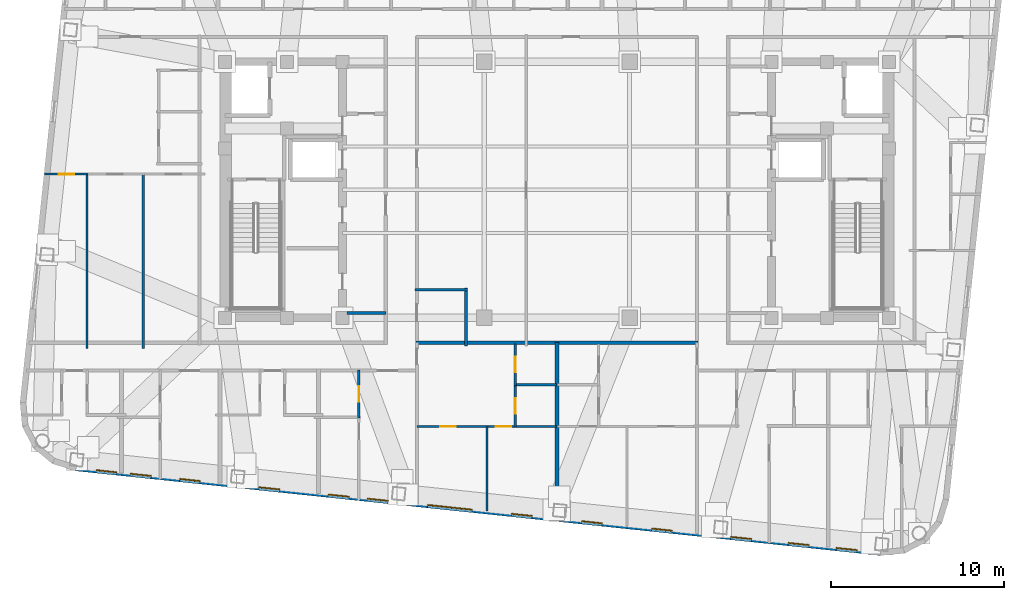
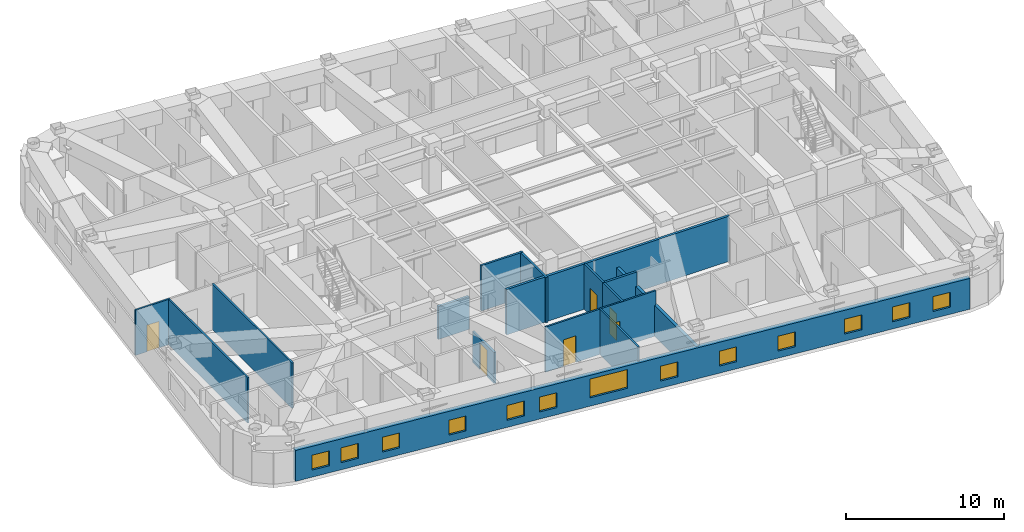
# One storey, part 4 of 12: 15 walls, 13 windows, 6 doors, 19 openings.
"""IFC4 building model written with IfcOpenShell, lengths in metres."""

from ifc_helpers import new_model, si_unit, direction, frame, frame_2d, origin, place, context, subcontext, project, spatial, rectangle, extrude, material, layer, layer_set, type_object, element, fill, save


model = new_model("IFC4")

# Units and contexts
model_context = context("Model", 3, precision=1e-05, world=origin(), true_north=direction((0.0, 1.0)))
body_context = subcontext(model_context, "Body", "Model", "MODEL_VIEW")
ifc_project = project(units=[si_unit("LENGTHUNIT", "METRE"), si_unit("AREAUNIT", "SQUARE_METRE"), si_unit("VOLUMEUNIT", "CUBIC_METRE"), si_unit("PLANEANGLEUNIT", "RADIAN"), si_unit("MASSUNIT", "GRAM", prefix="KILO")], contexts=[model_context])

# Site, building, storey
site_placement = place(None, origin())
site = spatial("IfcSite", under=ifc_project, at=site_placement, CompositionType="ELEMENT")
building_placement = place(site_placement, origin())
building = spatial("IfcBuilding", under=site, at=building_placement, Name="Voryun Gate Residences", CompositionType="ELEMENT")
storey_placement = place(building_placement, frame((0.0, 0.0, 306.800048828125)))
storey = spatial("IfcBuildingStorey", under=building, at=storey_placement, Name="L76", CompositionType="ELEMENT", Elevation=306.800048828125)

# Walls
ifc_material_1 = material(Name="Gypsum acoustic fireboard")
ifc_layer_1 = layer(ifc_material_1, 0.179931640625, Name="W_CORR_RATED_180")
ifc_layer_set_1 = layer_set([ifc_layer_1], Name="Gypsum acoustic fireboard")
wall_type_1 = type_object("IfcWallType", Name="W_CORR_RATED_180", PredefinedType="PARTITIONING", material=ifc_layer_set_1)
wall_1_placement = place(storey_placement, frame((-12.14990234375, -7.1201171875, 0.0), z_axis=(0.0, 0.0, 1.0), x_axis=(1.0, 0.0, 0.0)))
element("IfcWall", 1, at=wall_1_placement, inside=storey, type_object=wall_type_1, Name="Partition wall WP-L76-PLBS-W", PredefinedType="PARTITIONING", context=body_context, shape_type="SweptSolid", body=[
    extrude(rectangle(XDim=2.27001953125, YDim=0.179931640625, at=frame_2d((1.135009765625, 0.0))), origin(), (0.0, 0.0, 1.0), 2.5400390625),
])
wall_2_placement = place(storey_placement, frame((-8.14990234375, -8.840087890625, 0.0), z_axis=(0.0, 0.0, 1.0), x_axis=(1.0, 0.0, 0.0)))
element("IfcWall", 2, at=wall_2_placement, inside=storey, type_object=wall_type_1, Name="Partition wall WP-L76-Z3S", PredefinedType="PARTITIONING", context=body_context, shape_type="SweptSolid", body=[
    extrude(rectangle(XDim=16.2998046875, YDim=0.179931640625, at=frame_2d((8.14990234375, 0.0))), origin(), (0.0, 0.0, 1.0), 3.5),
])

# Wall, openings, windows
ifc_material_2 = material(Name="Charcoal terracotta masonry", Category="masonry")
ifc_layer_2 = layer(ifc_material_2, 0.340087890625, Name="W_EXT_TERRACOTTA_340")
ifc_layer_set_2 = layer_set([ifc_layer_2], Name="Charcoal terracotta masonry")
wall_type_2 = type_object("IfcWallType", Name="W_EXT_TERRACOTTA_340", PredefinedType="ELEMENTEDWALL", material=ifc_layer_set_2)
wall_3_placement = place(storey_placement, frame((18.707763671875, -20.97216796875, 0.0), z_axis=(0.0, 0.0, 1.0), x_axis=(-0.994521888554, 0.104528528102, 0.0)))
wall_3 = element("IfcWall", 3, at=wall_3_placement, inside=storey, type_object=wall_type_2, Name="Exterior wall WEXT-L76-01", PredefinedType="ELEMENTEDWALL", context=body_context, shape_type="SweptSolid", body=[
    extrude(rectangle(XDim=46.766357421875, YDim=0.340087890625, at=frame_2d((23.38330078125, 0.0))), origin(), (0.0, 0.0, 1.0), 2.389892578125),
])
opening_1_placement = place(wall_3_placement, frame((23.733154296875, 0.0, 0.64990234375)))
opening_1 = element("IfcOpeningElement", 4, at=opening_1_placement, cuts=wall_3, Name="Opening WN4", PredefinedType="OPENING", context=body_context, shape_type="SweptSolid", body=[
    extrude(rectangle(XDim=2.60009765625, YDim=1.449951171875, at=frame_2d((1.300048828125, 0.72509765625))), frame((0.0, 0.179931640625, 0.0), z_axis=(0.0, -1.0, 0.0), x_axis=(1.0, 0.0, 0.0)), (0.0, 0.0, 1.0), 0.360107421875),
])
opening_2_placement = place(wall_3_placement, frame((44.40185546875, 0.0, 0.550048828125)))
opening_2 = element("IfcOpeningElement", 5, at=opening_2_placement, cuts=wall_3, Name="Opening WN6", PredefinedType="OPENING", context=body_context, shape_type="SweptSolid", body=[
    extrude(rectangle(XDim=1.199951171875, YDim=1.14990234375, at=frame_2d((0.60009765625, 0.574951171875))), frame((0.0, 0.179931640625, 0.0), z_axis=(0.0, -1.0, 0.0), x_axis=(1.0, 0.0, 0.0)), (0.0, 0.0, 1.0), 0.360107421875),
])
opening_3_placement = place(wall_3_placement, frame((39.5400390625, 0.0, 0.550048828125)))
opening_3 = element("IfcOpeningElement", 6, at=opening_3_placement, cuts=wall_3, Name="Opening WN6", PredefinedType="OPENING", context=body_context, shape_type="SweptSolid", body=[
    extrude(rectangle(XDim=1.199951171875, YDim=1.14990234375, at=frame_2d((0.60009765625, 0.574951171875))), frame((0.0, 0.179931640625, 0.0), z_axis=(0.0, -1.0, 0.0), x_axis=(1.0, 0.0, 0.0)), (0.0, 0.0, 1.0), 0.360107421875),
])
opening_4_placement = place(wall_3_placement, frame((42.40576171875, 0.0, 0.550048828125)))
opening_4 = element("IfcOpeningElement", 7, at=opening_4_placement, cuts=wall_3, Name="Opening WN6", PredefinedType="OPENING", context=body_context, shape_type="SweptSolid", body=[
    extrude(rectangle(XDim=1.199951171875, YDim=1.14990234375, at=frame_2d((0.60009765625, 0.574951171875))), frame((0.0, 0.179931640625, 0.0), z_axis=(0.0, -1.0, 0.0), x_axis=(1.0, 0.0, 0.0)), (0.0, 0.0, 1.0), 0.360107421875),
])
opening_5_placement = place(wall_3_placement, frame((34.93310546875, 0.0, 0.550048828125)))
opening_5 = element("IfcOpeningElement", 8, at=opening_5_placement, cuts=wall_3, Name="Opening WN6", PredefinedType="OPENING", context=body_context, shape_type="SweptSolid", body=[
    extrude(rectangle(XDim=1.199951171875, YDim=1.14990234375, at=frame_2d((0.60009765625, 0.574951171875))), frame((0.0, 0.179931640625, 0.0), z_axis=(0.0, -1.0, 0.0), x_axis=(1.0, 0.0, 0.0)), (0.0, 0.0, 1.0), 0.360107421875),
])
opening_6_placement = place(wall_3_placement, frame((28.630859375, 0.0, 0.550048828125)))
opening_6 = element("IfcOpeningElement", 9, at=opening_6_placement, cuts=wall_3, Name="Opening WN6", PredefinedType="OPENING", context=body_context, shape_type="SweptSolid", body=[
    extrude(rectangle(XDim=1.199951171875, YDim=1.14990234375, at=frame_2d((0.60009765625, 0.574951171875))), frame((0.0, 0.179931640625, 0.0), z_axis=(0.0, -1.0, 0.0), x_axis=(1.0, 0.0, 0.0)), (0.0, 0.0, 1.0), 0.360107421875),
])
opening_7_placement = place(wall_3_placement, frame((30.89599609375, 0.0, 0.550048828125)))
opening_7 = element("IfcOpeningElement", 10, at=opening_7_placement, cuts=wall_3, Name="Opening WN6", PredefinedType="OPENING", context=body_context, shape_type="SweptSolid", body=[
    extrude(rectangle(XDim=1.199951171875, YDim=1.14990234375, at=frame_2d((0.60009765625, 0.574951171875))), frame((0.0, 0.179931640625, 0.0), z_axis=(0.0, -1.0, 0.0), x_axis=(1.0, 0.0, 0.0)), (0.0, 0.0, 1.0), 0.360107421875),
])
opening_8_placement = place(wall_3_placement, frame((7.501220703125, 0.0, 0.550048828125)))
opening_8 = element("IfcOpeningElement", 11, at=opening_8_placement, cuts=wall_3, Name="Opening WN6", PredefinedType="OPENING", context=body_context, shape_type="SweptSolid", body=[
    extrude(rectangle(XDim=1.199951171875, YDim=1.14990234375, at=frame_2d((0.60009765625, 0.574951171875))), frame((0.0, 0.179931640625, 0.0), z_axis=(0.0, -1.0, 0.0), x_axis=(1.0, 0.0, 0.0)), (0.0, 0.0, 1.0), 0.360107421875),
])
opening_9_placement = place(wall_3_placement, frame((4.1591796875, 0.0, 0.550048828125)))
opening_9 = element("IfcOpeningElement", 12, at=opening_9_placement, cuts=wall_3, Name="Opening WN6", PredefinedType="OPENING", context=body_context, shape_type="SweptSolid", body=[
    extrude(rectangle(XDim=1.199951171875, YDim=1.14990234375, at=frame_2d((0.60009765625, 0.574951171875))), frame((0.0, 0.179931640625, 0.0), z_axis=(0.0, -1.0, 0.0), x_axis=(1.0, 0.0, 0.0)), (0.0, 0.0, 1.0), 0.360107421875),
])
opening_10_placement = place(wall_3_placement, frame((1.36865234375, 0.0, 0.550048828125)))
opening_10 = element("IfcOpeningElement", 13, at=opening_10_placement, cuts=wall_3, Name="Opening WN6", PredefinedType="OPENING", context=body_context, shape_type="SweptSolid", body=[
    extrude(rectangle(XDim=1.199951171875, YDim=1.14990234375, at=frame_2d((0.60009765625, 0.574951171875))), frame((0.0, 0.179931640625, 0.0), z_axis=(0.0, -1.0, 0.0), x_axis=(1.0, 0.0, 0.0)), (0.0, 0.0, 1.0), 0.360107421875),
])
opening_11_placement = place(wall_3_placement, frame((20.25439453125, 0.0, 0.550048828125)))
opening_11 = element("IfcOpeningElement", 14, at=opening_11_placement, cuts=wall_3, Name="Opening WN6", PredefinedType="OPENING", context=body_context, shape_type="SweptSolid", body=[
    extrude(rectangle(XDim=1.199951171875, YDim=1.14990234375, at=frame_2d((0.60009765625, 0.574951171875))), frame((0.0, 0.179931640625, 0.0), z_axis=(0.0, -1.0, 0.0), x_axis=(1.0, 0.0, 0.0)), (0.0, 0.0, 1.0), 0.360107421875),
])
opening_12_placement = place(wall_3_placement, frame((16.172119140625, 0.0, 0.550048828125)))
opening_12 = element("IfcOpeningElement", 15, at=opening_12_placement, cuts=wall_3, Name="Opening WN6", PredefinedType="OPENING", context=body_context, shape_type="SweptSolid", body=[
    extrude(rectangle(XDim=1.199951171875, YDim=1.14990234375, at=frame_2d((0.60009765625, 0.574951171875))), frame((0.0, 0.179931640625, 0.0), z_axis=(0.0, -1.0, 0.0), x_axis=(1.0, 0.0, 0.0)), (0.0, 0.0, 1.0), 0.360107421875),
])
opening_13_placement = place(wall_3_placement, frame((12.109619140625, 0.0, 0.550048828125)))
opening_13 = element("IfcOpeningElement", 16, at=opening_13_placement, cuts=wall_3, Name="Opening WN6", PredefinedType="OPENING", context=body_context, shape_type="SweptSolid", body=[
    extrude(rectangle(XDim=1.199951171875, YDim=1.14990234375, at=frame_2d((0.60009765625, 0.574951171875))), frame((0.0, 0.179931640625, 0.0), z_axis=(0.0, -1.0, 0.0), x_axis=(1.0, 0.0, 0.0)), (0.0, 0.0, 1.0), 0.360107421875),
])
ifc_material_3 = material(Name="Laminated low-E glass", Category="glass")
window_type_1 = type_object("IfcWindowType", Name="WN_PENT_TALL_2600", PartitioningType="SINGLE_PANEL", PredefinedType="WINDOW", material=ifc_material_3)
window_1_placement = place(opening_1_placement, origin())
window_1 = element("IfcWindow", 17, at=window_1_placement, inside=storey, type_object=window_type_1, Name="Window WN-WEXT-L76-01-02", OverallHeight=1.449951171875, OverallWidth=2.60009765625, PartitioningType="SINGLE_PANEL", PredefinedType="WINDOW", context=body_context, shape_type="SweptSolid", body=[
    extrude(rectangle(XDim=2.60009765625, YDim=1.449951171875, at=frame_2d((1.300048828125, 0.72509765625))), frame((0.0, 0.030029296875, 0.0), z_axis=(0.0, -1.0, 0.0), x_axis=(1.0, 0.0, 0.0)), (0.0, 0.0, 1.0), 0.06005859375),
])
fill(opening_1, window_1)
ifc_material_4 = material(Name="Laminated low-E glass", Category="glass")
window_type_2 = type_object("IfcWindowType", Name="WN_POD_SLOT_1200", PartitioningType="SINGLE_PANEL", PredefinedType="WINDOW", material=ifc_material_4)
window_2_placement = place(opening_2_placement, origin())
window_2 = element("IfcWindow", 18, at=window_2_placement, inside=storey, type_object=window_type_2, Name="Window WN-L76-DWFIX-12", OverallHeight=1.14990234375, OverallWidth=1.199951171875, PartitioningType="SINGLE_PANEL", PredefinedType="WINDOW", context=body_context, shape_type="SweptSolid", body=[
    extrude(rectangle(XDim=1.199951171875, YDim=1.14990234375, at=frame_2d((0.60009765625, 0.574951171875))), frame((0.0, 0.030029296875, 0.0), z_axis=(0.0, -1.0, 0.0), x_axis=(1.0, 0.0, 0.0)), (0.0, 0.0, 1.0), 0.06005859375),
])
fill(opening_2, window_2)
window_3_placement = place(opening_3_placement, origin())
window_3 = element("IfcWindow", 19, at=window_3_placement, inside=storey, type_object=window_type_2, Name="Window WN-L76-DWFIX-13", OverallHeight=1.14990234375, OverallWidth=1.199951171875, PartitioningType="SINGLE_PANEL", PredefinedType="WINDOW", context=body_context, shape_type="SweptSolid", body=[
    extrude(rectangle(XDim=1.199951171875, YDim=1.14990234375, at=frame_2d((0.60009765625, 0.574951171875))), frame((0.0, 0.030029296875, 0.0), z_axis=(0.0, -1.0, 0.0), x_axis=(1.0, 0.0, 0.0)), (0.0, 0.0, 1.0), 0.06005859375),
])
fill(opening_3, window_3)
window_4_placement = place(opening_4_placement, origin())
window_4 = element("IfcWindow", 20, at=window_4_placement, inside=storey, type_object=window_type_2, Name="Window WN-L76-DWFIX-14", OverallHeight=1.14990234375, OverallWidth=1.199951171875, PartitioningType="SINGLE_PANEL", PredefinedType="WINDOW", context=body_context, shape_type="SweptSolid", body=[
    extrude(rectangle(XDim=1.199951171875, YDim=1.14990234375, at=frame_2d((0.60009765625, 0.574951171875))), frame((0.0, 0.030029296875, 0.0), z_axis=(0.0, -1.0, 0.0), x_axis=(1.0, 0.0, 0.0)), (0.0, 0.0, 1.0), 0.06005859375),
])
fill(opening_4, window_4)
window_5_placement = place(opening_5_placement, origin())
window_5 = element("IfcWindow", 21, at=window_5_placement, inside=storey, type_object=window_type_2, Name="Window WN-L76-DWFIX-15", OverallHeight=1.14990234375, OverallWidth=1.199951171875, PartitioningType="SINGLE_PANEL", PredefinedType="WINDOW", context=body_context, shape_type="SweptSolid", body=[
    extrude(rectangle(XDim=1.199951171875, YDim=1.14990234375, at=frame_2d((0.60009765625, 0.574951171875))), frame((0.0, 0.030029296875, 0.0), z_axis=(0.0, -1.0, 0.0), x_axis=(1.0, 0.0, 0.0)), (0.0, 0.0, 1.0), 0.06005859375),
])
fill(opening_5, window_5)
window_6_placement = place(opening_6_placement, origin())
window_6 = element("IfcWindow", 22, at=window_6_placement, inside=storey, type_object=window_type_2, Name="Window WN-L76-DWFIX-16", OverallHeight=1.14990234375, OverallWidth=1.199951171875, PartitioningType="SINGLE_PANEL", PredefinedType="WINDOW", context=body_context, shape_type="SweptSolid", body=[
    extrude(rectangle(XDim=1.199951171875, YDim=1.14990234375, at=frame_2d((0.60009765625, 0.574951171875))), frame((0.0, 0.030029296875, 0.0), z_axis=(0.0, -1.0, 0.0), x_axis=(1.0, 0.0, 0.0)), (0.0, 0.0, 1.0), 0.06005859375),
])
fill(opening_6, window_6)
window_7_placement = place(opening_7_placement, origin())
window_7 = element("IfcWindow", 23, at=window_7_placement, inside=storey, type_object=window_type_2, Name="Window WN-L76-DWFIX-17", OverallHeight=1.14990234375, OverallWidth=1.199951171875, PartitioningType="SINGLE_PANEL", PredefinedType="WINDOW", context=body_context, shape_type="SweptSolid", body=[
    extrude(rectangle(XDim=1.199951171875, YDim=1.14990234375, at=frame_2d((0.60009765625, 0.574951171875))), frame((0.0, 0.030029296875, 0.0), z_axis=(0.0, -1.0, 0.0), x_axis=(1.0, 0.0, 0.0)), (0.0, 0.0, 1.0), 0.06005859375),
])
fill(opening_7, window_7)
window_8_placement = place(opening_8_placement, origin())
window_8 = element("IfcWindow", 24, at=window_8_placement, inside=storey, type_object=window_type_2, Name="Window WN-L76-DWFIX-18", OverallHeight=1.14990234375, OverallWidth=1.199951171875, PartitioningType="SINGLE_PANEL", PredefinedType="WINDOW", context=body_context, shape_type="SweptSolid", body=[
    extrude(rectangle(XDim=1.199951171875, YDim=1.14990234375, at=frame_2d((0.60009765625, 0.574951171875))), frame((0.0, 0.030029296875, 0.0), z_axis=(0.0, -1.0, 0.0), x_axis=(1.0, 0.0, 0.0)), (0.0, 0.0, 1.0), 0.06005859375),
])
fill(opening_8, window_8)
window_9_placement = place(opening_9_placement, origin())
window_9 = element("IfcWindow", 25, at=window_9_placement, inside=storey, type_object=window_type_2, Name="Window WN-L76-DWFIX-19", OverallHeight=1.14990234375, OverallWidth=1.199951171875, PartitioningType="SINGLE_PANEL", PredefinedType="WINDOW", context=body_context, shape_type="SweptSolid", body=[
    extrude(rectangle(XDim=1.199951171875, YDim=1.14990234375, at=frame_2d((0.60009765625, 0.574951171875))), frame((0.0, 0.030029296875, 0.0), z_axis=(0.0, -1.0, 0.0), x_axis=(1.0, 0.0, 0.0)), (0.0, 0.0, 1.0), 0.06005859375),
])
fill(opening_9, window_9)
window_10_placement = place(opening_10_placement, origin())
window_10 = element("IfcWindow", 26, at=window_10_placement, inside=storey, type_object=window_type_2, Name="Window WN-L76-DWFIX-20", OverallHeight=1.14990234375, OverallWidth=1.199951171875, PartitioningType="SINGLE_PANEL", PredefinedType="WINDOW", context=body_context, shape_type="SweptSolid", body=[
    extrude(rectangle(XDim=1.199951171875, YDim=1.14990234375, at=frame_2d((0.60009765625, 0.574951171875))), frame((0.0, 0.030029296875, 0.0), z_axis=(0.0, -1.0, 0.0), x_axis=(1.0, 0.0, 0.0)), (0.0, 0.0, 1.0), 0.06005859375),
])
fill(opening_10, window_10)
window_11_placement = place(opening_11_placement, origin())
window_11 = element("IfcWindow", 27, at=window_11_placement, inside=storey, type_object=window_type_2, Name="Window WN-L76-DWFIX-22", OverallHeight=1.14990234375, OverallWidth=1.199951171875, PartitioningType="SINGLE_PANEL", PredefinedType="WINDOW", context=body_context, shape_type="SweptSolid", body=[
    extrude(rectangle(XDim=1.199951171875, YDim=1.14990234375, at=frame_2d((0.60009765625, 0.574951171875))), frame((0.0, 0.030029296875, 0.0), z_axis=(0.0, -1.0, 0.0), x_axis=(1.0, 0.0, 0.0)), (0.0, 0.0, 1.0), 0.06005859375),
])
fill(opening_11, window_11)
window_12_placement = place(opening_12_placement, origin())
window_12 = element("IfcWindow", 28, at=window_12_placement, inside=storey, type_object=window_type_2, Name="Window WN-L76-DWFIX-23", OverallHeight=1.14990234375, OverallWidth=1.199951171875, PartitioningType="SINGLE_PANEL", PredefinedType="WINDOW", context=body_context, shape_type="SweptSolid", body=[
    extrude(rectangle(XDim=1.199951171875, YDim=1.14990234375, at=frame_2d((0.60009765625, 0.574951171875))), frame((0.0, 0.030029296875, 0.0), z_axis=(0.0, -1.0, 0.0), x_axis=(1.0, 0.0, 0.0)), (0.0, 0.0, 1.0), 0.06005859375),
])
fill(opening_12, window_12)
window_13_placement = place(opening_13_placement, origin())
window_13 = element("IfcWindow", 29, at=window_13_placement, inside=storey, type_object=window_type_2, Name="Window WN-L76-DWFIX-24", OverallHeight=1.14990234375, OverallWidth=1.199951171875, PartitioningType="SINGLE_PANEL", PredefinedType="WINDOW", context=body_context, shape_type="SweptSolid", body=[
    extrude(rectangle(XDim=1.199951171875, YDim=1.14990234375, at=frame_2d((0.60009765625, 0.574951171875))), frame((0.0, 0.030029296875, 0.0), z_axis=(0.0, -1.0, 0.0), x_axis=(1.0, 0.0, 0.0)), (0.0, 0.0, 1.0), 0.06005859375),
])
fill(opening_13, window_13)

# Wall
ifc_material_5 = material(Name="Concrete C40/50", Category="concrete")
ifc_layer_3 = layer(ifc_material_5, 0.219970703125, Name="W_PARTY_ACOUSTIC_220")
ifc_layer_set_3 = layer_set([ifc_layer_3], Name="Concrete C40/50")
wall_type_3 = type_object("IfcWallType", Name="W_PARTY_ACOUSTIC_220", PredefinedType="PARTITIONING", material=ifc_layer_set_3)
wall_4_placement = place(storey_placement, frame((0.0, -19.005859375, 0.0), z_axis=(0.0, 0.0, 1.0), x_axis=(0.0, 1.0, 0.0)))
element("IfcWall", 30, at=wall_4_placement, inside=storey, type_object=wall_type_3, Name="Partition wall WP-L76-SZMID", PredefinedType="PARTITIONING", context=body_context, shape_type="SweptSolid", body=[
    extrude(rectangle(XDim=10.165771484375, YDim=0.219970703125, at=frame_2d((5.0830078125, 0.0))), origin(), (0.0, 0.0, 1.0), 2.389892578125),
])

# Wall, openings, doors
ifc_material_6 = material(Name="Gypsum acoustic partition")
ifc_layer_4 = layer(ifc_material_6, 0.125, Name="W_UNIT_PART_125")
ifc_layer_set_4 = layer_set([ifc_layer_4], Name="Gypsum acoustic partition")
wall_type_4 = type_object("IfcWallType", Name="W_UNIT_PART_125", PredefinedType="PARTITIONING", material=ifc_layer_set_4)
wall_5_placement = place(storey_placement, frame((-8.080078125, -13.679931640625, 0.0), z_axis=(0.0, 0.0, 1.0), x_axis=(1.0, 0.0, 0.0)))
wall_5 = element("IfcWall", 31, at=wall_5_placement, inside=storey, type_object=wall_type_4, Name="Partition wall WP-L76-SC1-HZ", PredefinedType="PARTITIONING", context=body_context, shape_type="SweptSolid", body=[
    extrude(rectangle(XDim=8.06005859375, YDim=0.125, at=frame_2d((4.030029296875, 0.0))), origin(), (0.0, 0.0, 1.0), 3.5),
])
opening_14_placement = place(wall_5_placement, frame((1.3232421875, 0.0, 0.0)))
opening_14 = element("IfcOpeningElement", 32, at=opening_14_placement, cuts=wall_5, Name="Opening D-INT-2", PredefinedType="OPENING", context=body_context, shape_type="SweptSolid", body=[
    extrude(rectangle(XDim=0.89990234375, YDim=2.050048828125, at=frame_2d((0.449951171875, 1.02490234375))), frame((0.0, 0.072509765625, 0.0), z_axis=(0.0, -1.0, 0.0), x_axis=(1.0, 0.0, 0.0)), (0.0, 0.0, 1.0), 0.14501953125),
])
opening_15_placement = place(wall_5_placement, frame((4.547119140625, 0.0, 0.0)))
opening_15 = element("IfcOpeningElement", 33, at=opening_15_placement, cuts=wall_5, Name="Opening D-INT-2", PredefinedType="OPENING", context=body_context, shape_type="SweptSolid", body=[
    extrude(rectangle(XDim=0.89990234375, YDim=2.050048828125, at=frame_2d((0.449951171875, 1.02490234375))), frame((0.0, 0.072509765625, 0.0), z_axis=(0.0, -1.0, 0.0), x_axis=(1.0, 0.0, 0.0)), (0.0, 0.0, 1.0), 0.14501953125),
])
ifc_material_7 = material(Name="Architectural oak veneer")
door_type = type_object("IfcDoorType", Name="DR_INT_BATH_900", OperationType="NOTDEFINED", PredefinedType="DOOR", material=ifc_material_7)
door_1_placement = place(opening_14_placement, origin())
door_1 = element("IfcDoor", 34, at=door_1_placement, inside=storey, type_object=door_type, Name="Door DR-L76-SC1-DMB", OperationType="SINGLE_SWING_LEFT", OverallHeight=2.050048828125, OverallWidth=0.89990234375, PredefinedType="DOOR", context=body_context, shape_type="SweptSolid", body=[
    extrude(rectangle(XDim=0.89990234375, YDim=2.050048828125, at=frame_2d((0.449951171875, 1.02490234375))), frame((0.0, 0.02490234375, 0.0), z_axis=(0.0, -1.0, 0.0), x_axis=(1.0, 0.0, 0.0)), (0.0, 0.0, 1.0), 0.050048828125),
])
fill(opening_14, door_1)
door_2_placement = place(opening_15_placement, origin())
door_2 = element("IfcDoor", 35, at=door_2_placement, inside=storey, type_object=door_type, Name="Door DR-L76-SC1-DBD2", OperationType="SINGLE_SWING_RIGHT", OverallHeight=2.050048828125, OverallWidth=0.89990234375, PredefinedType="DOOR", context=body_context, shape_type="SweptSolid", body=[
    extrude(rectangle(XDim=0.89990234375, YDim=2.050048828125, at=frame_2d((0.449951171875, 1.02490234375))), frame((0.0, 0.02490234375, 0.0), z_axis=(0.0, -1.0, 0.0), x_axis=(1.0, 0.0, 0.0)), (0.0, 0.0, 1.0), 0.050048828125),
])
fill(opening_15, door_2)

# Wall, opening, door
wall_6_placement = place(storey_placement, frame((-2.409912109375, -11.31005859375, 0.0), z_axis=(0.0, 0.0, 1.0), x_axis=(0.0, 1.0, 0.0)))
wall_6 = element("IfcWall", 36, at=wall_6_placement, inside=storey, type_object=wall_type_4, Name="Partition wall WP-L76-SC1-VK1", PredefinedType="PARTITIONING", context=body_context, shape_type="SweptSolid", body=[
    extrude(rectangle(XDim=2.41015625, YDim=0.125, at=frame_2d((1.205078125, 0.0))), origin(), (0.0, 0.0, 1.0), 3.5),
])
opening_16_placement = place(wall_6_placement, frame((0.7548828125, 0.0, 0.0)))
opening_16 = element("IfcOpeningElement", 37, at=opening_16_placement, cuts=wall_6, Name="Opening D-INT-2", PredefinedType="OPENING", context=body_context, shape_type="SweptSolid", body=[
    extrude(rectangle(XDim=0.89990234375, YDim=2.050048828125, at=frame_2d((0.449951171875, 1.02490234375))), frame((0.0, 0.072509765625, 0.0), z_axis=(0.0, -1.0, 0.0), x_axis=(1.0, 0.0, 0.0)), (0.0, 0.0, 1.0), 0.14501953125),
])
door_3_placement = place(opening_16_placement, origin())
door_3 = element("IfcDoor", 38, at=door_3_placement, inside=storey, type_object=door_type, Name="Door DR-L76-SC1-DK", OperationType="SINGLE_SWING_LEFT", OverallHeight=2.050048828125, OverallWidth=0.89990234375, PredefinedType="DOOR", context=body_context, shape_type="SweptSolid", body=[
    extrude(rectangle(XDim=0.89990234375, YDim=2.050048828125, at=frame_2d((0.449951171875, 1.02490234375))), frame((0.0, 0.02490234375, 0.0), z_axis=(0.0, -1.0, 0.0), x_axis=(1.0, 0.0, 0.0)), (0.0, 0.0, 1.0), 0.050048828125),
])
fill(opening_16, door_3)

# Wall
wall_7_placement = place(storey_placement, frame((-4.050048828125, -18.580078125, 0.0), z_axis=(0.0, 0.0, 1.0), x_axis=(0.0, 1.0, 0.0)))
element("IfcWall", 39, at=wall_7_placement, inside=storey, type_object=wall_type_4, Name="Partition wall WP-L76-SC1-VBD", PredefinedType="PARTITIONING", context=body_context, shape_type="SweptSolid", body=[
    extrude(rectangle(XDim=4.940185546875, YDim=0.125, at=frame_2d((2.47021484375, 0.0))), origin(), (0.0, 0.0, 1.0), 3.5),
])

# Wall, opening, door
wall_8_placement = place(storey_placement, frame((-29.633056640625, 0.909912109375, 0.0), z_axis=(0.0, 0.0, 1.0), x_axis=(1.0, 0.0, 0.0)))
wall_8 = element("IfcWall", 40, at=wall_8_placement, inside=storey, type_object=wall_type_4, Name="Partition wall WP-L76-W1-HZMB1", PredefinedType="PARTITIONING", context=body_context, shape_type="SweptSolid", body=[
    extrude(rectangle(XDim=2.528564453125, YDim=0.125, at=frame_2d((1.26416015625, 0.0))), origin(), (0.0, 0.0, 1.0), 3.5),
])
opening_17_placement = place(wall_8_placement, frame((0.822998046875, 0.0, 0.0)))
opening_17 = element("IfcOpeningElement", 41, at=opening_17_placement, cuts=wall_8, Name="Opening D-INT-2", PredefinedType="OPENING", context=body_context, shape_type="SweptSolid", body=[
    extrude(rectangle(XDim=0.89990234375, YDim=2.050048828125, at=frame_2d((0.449951171875, 1.02490234375))), frame((0.0, 0.072509765625, 0.0), z_axis=(0.0, -1.0, 0.0), x_axis=(1.0, 0.0, 0.0)), (0.0, 0.0, 1.0), 0.14501953125),
])
door_4_placement = place(opening_17_placement, origin())
door_4 = element("IfcDoor", 42, at=door_4_placement, inside=storey, type_object=door_type, Name="Door DR-L76-W1-DMB", OperationType="SINGLE_SWING_LEFT", OverallHeight=2.050048828125, OverallWidth=0.89990234375, PredefinedType="DOOR", context=body_context, shape_type="SweptSolid", body=[
    extrude(rectangle(XDim=0.89990234375, YDim=2.050048828125, at=frame_2d((0.449951171875, 1.02490234375))), frame((0.0, 0.02490234375, 0.0), z_axis=(0.0, -1.0, 0.0), x_axis=(1.0, 0.0, 0.0)), (0.0, 0.0, 1.0), 0.050048828125),
])
fill(opening_17, door_4)

# Walls
for number, where, z_axis, x_axis, name in (
    (43, (-23.91796875, -9.159912109375, 0.0), (0.0, 0.0, 1.0), (0.0, 1.0, 0.0), "Partition wall WP-L76-W1-VMB2"),
    (44, (-27.1669921875, -9.159912109375, 0.0), (0.0, 0.0, 1.0), (0.0, 1.0, 0.0), "Partition wall WP-L76-W1-VMB"),
):
    element("IfcWall", number, at=place(storey_placement, frame(where, z_axis=z_axis, x_axis=x_axis)), inside=storey, type_object=wall_type_4, Name=name, PredefinedType="PARTITIONING", context=body_context, shape_type="SweptSolid", body=[
        extrude(rectangle(XDim=10.1298828125, YDim=0.125, at=frame_2d((5.06494140625, 0.0))), origin(), (0.0, 0.0, 1.0), 3.5),
    ])
ifc_material_8 = material(Name="Gypsum moisture-resistant partition")
ifc_layer_5 = layer(ifc_material_8, 0.14990234375, Name="W_WET_PLUMB_150")
ifc_layer_set_5 = layer_set([ifc_layer_5], Name="Gypsum moisture-resistant partition")
wall_type_5 = type_object("IfcWallType", Name="W_WET_PLUMB_150", PredefinedType="PLUMBINGWALL", material=ifc_layer_set_5)
wall_9_placement = place(storey_placement, frame((-5.260009765625, -9.02001953125, 0.0), z_axis=(0.0, 0.0, 1.0), x_axis=(0.0, 1.0, 0.0)))
element("IfcWall", 45, at=wall_9_placement, inside=storey, type_object=wall_type_5, Name="Partition wall WP-L76-CMWCX", PredefinedType="PLUMBINGWALL", context=body_context, shape_type="SweptSolid", body=[
    extrude(rectangle(XDim=3.35009765625, YDim=0.14990234375, at=frame_2d((1.675048828125, 0.0))), origin(), (0.0, 0.0, 1.0), 3.5),
])
wall_10_placement = place(storey_placement, frame((-8.2099609375, -5.77001953125, 0.0), z_axis=(0.0, 0.0, 1.0), x_axis=(1.0, 0.0, 0.0)))
element("IfcWall", 46, at=wall_10_placement, inside=storey, type_object=wall_type_5, Name="Partition wall WP-L76-CMWCY", PredefinedType="PLUMBINGWALL", context=body_context, shape_type="SweptSolid", body=[
    extrude(rectangle(XDim=3.050048828125, YDim=0.14990234375, at=frame_2d((1.52490234375, 0.0))), origin(), (0.0, 0.0, 1.0), 3.5),
])

# Wall, opening, door
wall_11_placement = place(storey_placement, frame((-11.447998046875, -13.18994140625, 0.0), z_axis=(0.0, 0.0, 1.0), x_axis=(0.0, 1.0, 0.0)))
wall_11 = element("IfcWall", 47, at=wall_11_placement, inside=storey, type_object=wall_type_5, Name="Partition wall WP-L76-S4-SVT2", PredefinedType="PLUMBINGWALL", context=body_context, shape_type="SweptSolid", body=[
    extrude(rectangle(XDim=2.760009765625, YDim=0.14990234375, at=frame_2d((1.3798828125, 0.0))), origin(), (0.0, 0.0, 1.0), 2.389892578125),
])
opening_18_placement = place(wall_11_placement, frame((0.929931640625, 0.0, 0.0)))
opening_18 = element("IfcOpeningElement", 48, at=opening_18_placement, cuts=wall_11, Name="Opening D-INT-2", PredefinedType="OPENING", context=body_context, shape_type="SweptSolid", body=[
    extrude(rectangle(XDim=0.89990234375, YDim=2.050048828125, at=frame_2d((0.449951171875, 1.02490234375))), frame((0.0, 0.0849609375, 0.0), z_axis=(0.0, -1.0, 0.0), x_axis=(1.0, 0.0, 0.0)), (0.0, 0.0, 1.0), 0.169921875),
])
door_5_placement = place(opening_18_placement, origin())
door_5 = element("IfcDoor", 49, at=door_5_placement, inside=storey, type_object=door_type, Name="Door DR-L76-S4-DB", OperationType="SINGLE_SWING_RIGHT", OverallHeight=2.050048828125, OverallWidth=0.89990234375, PredefinedType="DOOR", context=body_context, shape_type="SweptSolid", body=[
    extrude(rectangle(XDim=0.89990234375, YDim=2.050048828125, at=frame_2d((0.449951171875, 1.02490234375))), frame((0.0, 0.02490234375, 0.0), z_axis=(0.0, -1.0, 0.0), x_axis=(1.0, 0.0, 0.0)), (0.0, 0.0, 1.0), 0.050048828125),
])
fill(opening_18, door_5)

wall_12_placement = place(storey_placement, frame((-2.409912109375, -13.719970703125, 0.0), z_axis=(0.0, 0.0, 1.0), x_axis=(0.0, 1.0, 0.0)))
wall_12 = element("IfcWall", 50, at=wall_12_placement, inside=storey, type_object=wall_type_5, Name="Partition wall WP-L76-SC1-VK2", PredefinedType="PLUMBINGWALL", context=body_context, shape_type="SweptSolid", body=[
    extrude(rectangle(XDim=2.469970703125, YDim=0.14990234375, at=frame_2d((1.23486328125, 0.0))), origin(), (0.0, 0.0, 1.0), 3.5),
])
opening_19_placement = place(wall_12_placement, frame((0.784912109375, 0.0, 0.0)))
opening_19 = element("IfcOpeningElement", 51, at=opening_19_placement, cuts=wall_12, Name="Opening D-INT-2", PredefinedType="OPENING", context=body_context, shape_type="SweptSolid", body=[
    extrude(rectangle(XDim=0.89990234375, YDim=2.050048828125, at=frame_2d((0.449951171875, 1.02490234375))), frame((0.0, 0.0849609375, 0.0), z_axis=(0.0, -1.0, 0.0), x_axis=(1.0, 0.0, 0.0)), (0.0, 0.0, 1.0), 0.169921875),
])
door_6_placement = place(opening_19_placement, origin())
door_6 = element("IfcDoor", 52, at=door_6_placement, inside=storey, type_object=door_type, Name="Door DR-L76-SC1-DB", OperationType="SINGLE_SWING_RIGHT", OverallHeight=2.050048828125, OverallWidth=0.89990234375, PredefinedType="DOOR", context=body_context, shape_type="SweptSolid", body=[
    extrude(rectangle(XDim=0.89990234375, YDim=2.050048828125, at=frame_2d((0.449951171875, 1.02490234375))), frame((0.0, 0.02490234375, 0.0), z_axis=(0.0, -1.0, 0.0), x_axis=(1.0, 0.0, 0.0)), (0.0, 0.0, 1.0), 0.050048828125),
])
fill(opening_19, door_6)

# Wall
wall_13_placement = place(storey_placement, frame((-2.449951171875, -11.280029296875, 0.0), z_axis=(0.0, 0.0, 1.0), x_axis=(1.0, 0.0, 0.0)))
element("IfcWall", 53, at=wall_13_placement, inside=storey, type_object=wall_type_5, Name="Partition wall WP-L76-SC1-HKB", PredefinedType="PLUMBINGWALL", context=body_context, shape_type="SweptSolid", body=[
    extrude(rectangle(XDim=2.429931640625, YDim=0.14990234375, at=frame_2d((1.21484375, 0.0))), origin(), (0.0, 0.0, 1.0), 3.5),
])

save(model, "model.ifc")
